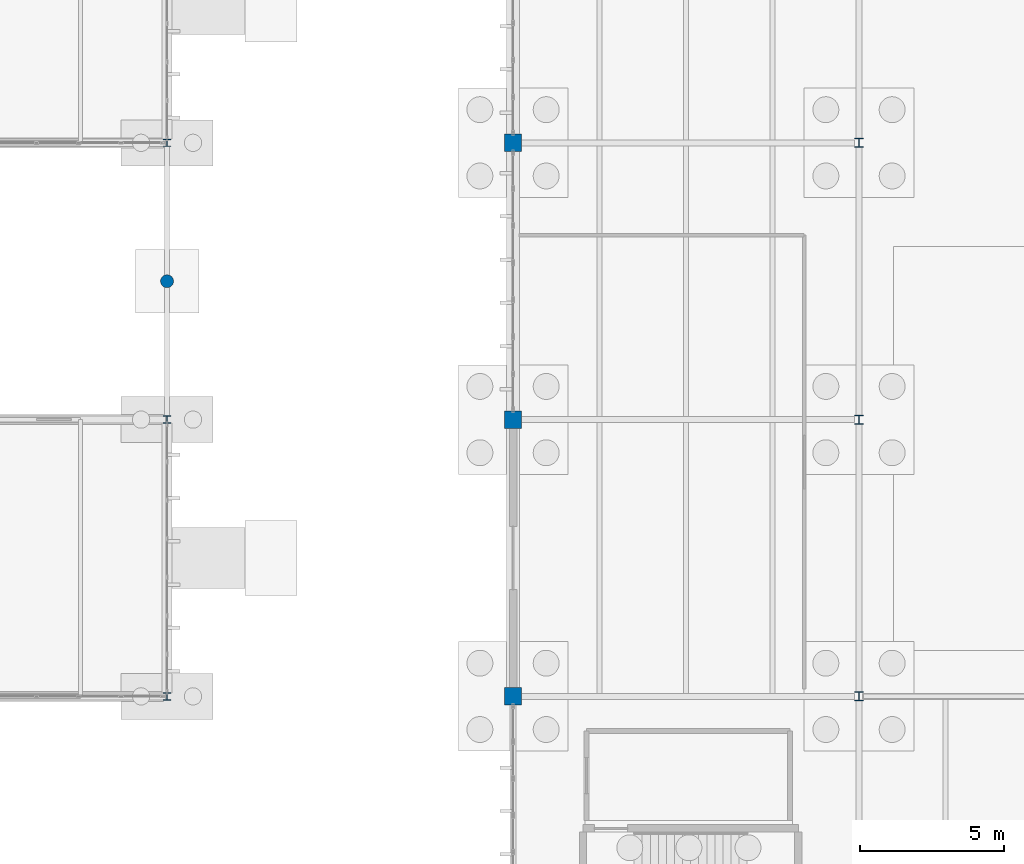
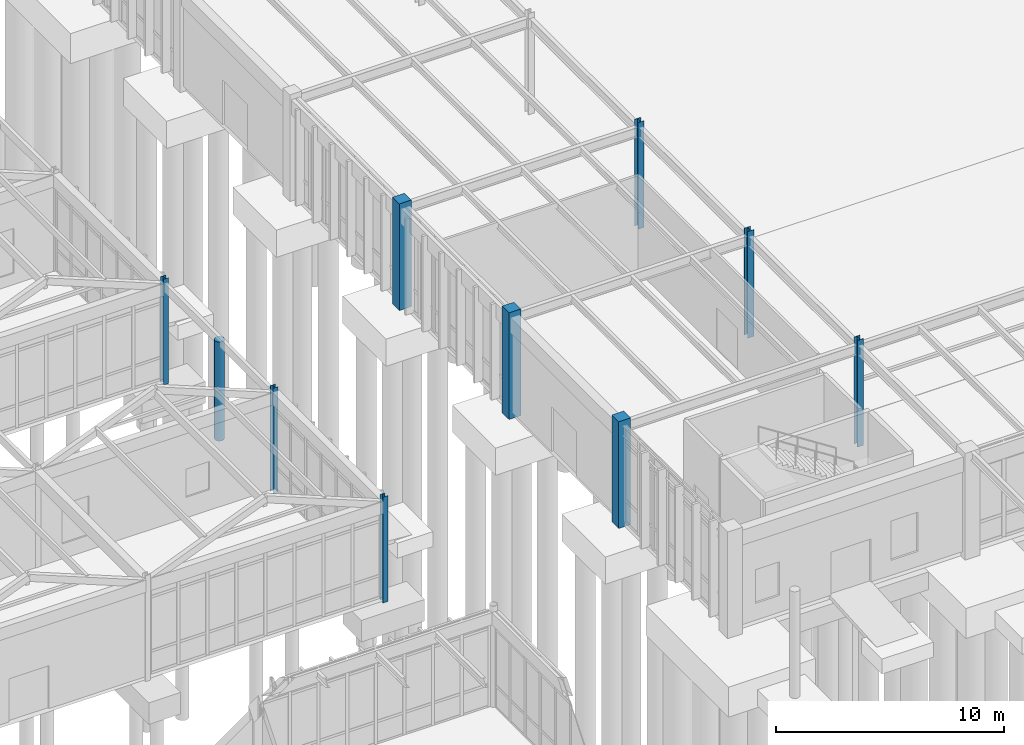
# One storey, part 7 of 188: 10 columns.
"""IFC4 building model written with IfcOpenShell, lengths in metres."""

import ifcopenshell
import ifcopenshell.guid

model = None  # the IFC model being written
_history = None  # IfcOwnerHistory: only IFC2X3 demands one
_inside = {}  # id of a spatial element -> (the spatial element, [elements in it])
_under = {}  # id of a project, library or spatial element -> (it, [spatial elements below it])
_declared = {}  # id of a project -> (the project, [libraries it declares])
_typed = {}  # id of a type object -> (the type object, [elements of that type])
_made_of = {}  # id of a material, layer set ... -> (it, [elements and type objects made of it])


def new_model(schema):
    """Start an empty IFC model of exactly this schema.

    Asked for "IFC4X3", IfcOpenShell would pick the latest addendum, in which some entities
    have other attributes; the version numbers below select the first issue.
    IFC2X3 requires an IfcOwnerHistory on every rooted entity: one is made here for all.
    """
    global model, _history
    if schema == "IFC4X3":
        model = ifcopenshell.file(schema_version=(4, 3, 0, 0))
    else:
        model = ifcopenshell.file(schema=schema)
    _inside.clear()
    _under.clear()
    _declared.clear()
    _typed.clear()
    _made_of.clear()
    _history = None
    if model.schema == "IFC2X3":
        org = make("IfcOrganization", Name="unknown")
        user = make(
            "IfcPersonAndOrganization",
            ThePerson=make("IfcPerson", FamilyName="unknown"),
            TheOrganization=org,
        )
        app = make(
            "IfcApplication",
            ApplicationDeveloper=org,
            Version="unknown",
            ApplicationFullName="unknown",
            ApplicationIdentifier="unknown",
        )
        _history = make(
            "IfcOwnerHistory",
            OwningUser=user,
            OwningApplication=app,
            ChangeAction="ADDED",
            CreationDate=0,
        )
    return model


def make(cls, **values):
    """One entity of the class cls with the attributes given. An attribute that is None is left unset."""
    return model.create_entity(
        cls, **{name: value for name, value in values.items() if value is not None}
    )


def rooted(cls, **values):
    """An entity with a GlobalId (a new one), such as an element, a storey or a relation."""
    return make(cls, GlobalId=ifcopenshell.guid.new(), OwnerHistory=_history, **values)


def si_unit(unit_type, name, prefix=None):
    """IfcSIUnit, for example si_unit("LENGTHUNIT", "METRE", prefix="MILLI")."""
    return make("IfcSIUnit", UnitType=unit_type, Prefix=prefix, Name=name)


def assignment(units):
    """IfcUnitAssignment: the units of a project."""
    return None if units is None else make("IfcUnitAssignment", Units=units)


def point(xyz):
    """IfcCartesianPoint."""
    return None if xyz is None else make("IfcCartesianPoint", Coordinates=xyz)


def direction(xyz):
    """IfcDirection."""
    return None if xyz is None else make("IfcDirection", DirectionRatios=xyz)


def frame(location, z_axis=None, x_axis=None):
    """IfcAxis2Placement3D, a coordinate frame: its origin and axes. An axis left out is left unset."""
    return make(
        "IfcAxis2Placement3D",
        Location=point(location),
        Axis=direction(z_axis),
        RefDirection=direction(x_axis),
    )


def frame_2d(location, x_axis=None):
    """IfcAxis2Placement2D, a coordinate frame in the plane: its origin and x axis."""
    return make(
        "IfcAxis2Placement2D", Location=point(location), RefDirection=direction(x_axis)
    )


def origin():
    """The frame at (0, 0, 0) with its axes left unset."""
    return frame((0.0, 0.0, 0.0))


def origin_2d():
    """The frame at (0, 0) in the plane with its x axis left unset."""
    return frame_2d((0.0, 0.0))


def place(relative_to, where):
    """IfcLocalPlacement: puts the frame where relative to a parent placement (None: the world)."""
    return make(
        "IfcLocalPlacement", PlacementRelTo=relative_to, RelativePlacement=where
    )


def context(
    kind, dimensions, precision=None, world=None, true_north=None, identifier=None
):
    """IfcGeometricRepresentationContext, for example the 3D "Model" context."""
    return make(
        "IfcGeometricRepresentationContext",
        ContextIdentifier=identifier,
        ContextType=kind,
        CoordinateSpaceDimension=dimensions,
        Precision=precision,
        WorldCoordinateSystem=world,
        TrueNorth=true_north,
    )


def subcontext(parent, identifier, kind, view, scale=None):
    """IfcGeometricRepresentationSubContext, for example "Body" below "Model"."""
    return make(
        "IfcGeometricRepresentationSubContext",
        ContextIdentifier=identifier,
        ContextType=kind,
        ParentContext=parent,
        TargetScale=scale,
        TargetView=view,
    )


def project(units=None, contexts=None):
    """IfcProject with its units and contexts."""
    return rooted(
        "IfcProject",
        Name="project",
        RepresentationContexts=contexts,
        UnitsInContext=assignment(units),
    )


def spatial(cls, under=None, at=None, **own):
    """A site, building, storey or space (cls), placed at a placement, below another one or the project."""
    s = rooted(cls, ObjectPlacement=at, **own)
    if under is not None:
        _under.setdefault(under.id(), (under, []))[1].append(s)
    return s


def profile(cls, at=None, kind="AREA", **sizes):
    """A parametric profile (cls). Its sizes go by their IFC names, for example OverallWidth=200.0."""
    return make(cls, ProfileType=kind, Position=at, **sizes)


def rectangle(**sizes):
    """IfcRectangleProfileDef."""
    return profile("IfcRectangleProfileDef", **sizes)


def circle(**sizes):
    """IfcCircleProfileDef."""
    return profile("IfcCircleProfileDef", **sizes)


def i_section(**sizes):
    """IfcIShapeProfileDef."""
    return profile("IfcIShapeProfileDef", **sizes)


def extrude(swept, where, along, depth):
    """IfcExtrudedAreaSolid: the profile swept, set in the frame where, extruded along a direction by depth."""
    return make(
        "IfcExtrudedAreaSolid",
        SweptArea=swept,
        Position=where,
        ExtrudedDirection=direction(along),
        Depth=depth,
    )


def shape(context_of_items, identifier, shape_type, items):
    """IfcShapeRepresentation: the items that make up one representation, for example the "Body"."""
    return make(
        "IfcShapeRepresentation",
        ContextOfItems=context_of_items,
        RepresentationIdentifier=identifier,
        RepresentationType=shape_type,
        Items=items,
    )


def material(Name=None, Category=None):
    """IfcMaterial."""
    return make("IfcMaterial", Name=Name, Category=Category)


def material_profile(
    of_material, cross_section, Name=None, Category=None, Priority=None
):
    """IfcMaterialProfile: a cross section and its material."""
    return make(
        "IfcMaterialProfile",
        Name=Name,
        Material=of_material,
        Profile=cross_section,
        Priority=Priority,
        Category=Category,
    )


def profile_set(profiles, Name=None, composite=None):
    """IfcMaterialProfileSet."""
    return make(
        "IfcMaterialProfileSet",
        Name=Name,
        MaterialProfiles=profiles,
        CompositeProfile=composite,
    )


def made_of(thing, what):
    """Note that an element or type object is made of a material, layer set ...; save() writes the relation."""
    if what is not None:
        _made_of.setdefault(what.id(), (what, []))[1].append(thing)
    return thing


def type_object(cls, material=None, **own):
    """A type object (cls), such as IfcWallType, which elements share."""
    return made_of(rooted(cls, **own), material)


def element(
    cls,
    number,
    at=None,
    inside=None,
    cuts=None,
    type_object=None,
    material=None,
    context=None,
    identifier="Body",
    shape_type=None,
    held_by="IfcProductDefinitionShape",
    body=None,
    shapes=None,
    **own,
):
    """One element of the class cls, such as IfcWall. Its Tag is "e" and its number.

    at: its placement. inside: the storey or other place that contains it. cuts: it is an
    opening in that element (IfcRelVoidsElement). A single representation is given by context,
    identifier, shape_type and body (its items); several are given by shapes. held_by: the class
    of the entity that holds the representations. save() writes the other relations.
    """
    e = rooted(cls, Tag="e%d" % number, ObjectPlacement=at, **own)
    if body is not None:
        shapes = [shape(context, identifier, shape_type, body)]
    if shapes is not None:
        e.Representation = make(held_by, Representations=shapes)
    if inside is not None:
        _inside.setdefault(inside.id(), (inside, []))[1].append(e)
    if cuts is not None:
        rooted(
            "IfcRelVoidsElement", RelatingBuildingElement=cuts, RelatedOpeningElement=e
        )
    if type_object is not None:
        _typed.setdefault(type_object.id(), (type_object, []))[1].append(e)
    return made_of(e, material)


def aggregate(whole, parts):
    """IfcRelAggregates: a whole, such as a stair, and the parts it consists of."""
    return rooted("IfcRelAggregates", RelatingObject=whole, RelatedObjects=parts)


def save(model, path):
    """Write the relations noted so far, then the file.

    IfcRelAggregates (storeys below a building ...), IfcRelContainedInSpatialStructure (elements
    in a storey), IfcRelDefinesByType, IfcRelAssociatesMaterial and IfcRelDeclares: one each for
    every whole, place, type object, material and project.
    """
    for whole, parts in _under.values():
        aggregate(whole, parts)
    for where, things in _inside.values():
        rooted(
            "IfcRelContainedInSpatialStructure",
            RelatedElements=things,
            RelatingStructure=where,
        )
    for kind, things in _typed.values():
        rooted("IfcRelDefinesByType", RelatedObjects=things, RelatingType=kind)
    for what, things in _made_of.values():
        rooted("IfcRelAssociatesMaterial", RelatedObjects=things, RelatingMaterial=what)
    for by, libraries in _declared.values():
        rooted("IfcRelDeclares", RelatingContext=by, RelatedDefinitions=libraries)
    model.write(path)


model = new_model("IFC4")

# Units and contexts
model_context = context("Model", 3, precision=1e-05, world=origin(), true_north=direction((0.0, 1.0)))
body_context = subcontext(model_context, "Body", "Model", "MODEL_VIEW")
ifc_project = project(units=[si_unit("LENGTHUNIT", "METRE"), si_unit("AREAUNIT", "SQUARE_METRE"), si_unit("VOLUMEUNIT", "CUBIC_METRE"), si_unit("PLANEANGLEUNIT", "RADIAN"), si_unit("MASSUNIT", "GRAM", prefix="KILO")], contexts=[model_context])

# Site, building, storey
site_placement = place(None, origin())
site = spatial("IfcSite", under=ifc_project, at=site_placement, CompositionType="ELEMENT")
building_placement = place(site_placement, origin())
building = spatial("IfcBuilding", under=site, at=building_placement, Name="Pandanus Reach Market Hall", CompositionType="ELEMENT")
storey_placement = place(building_placement, origin())
storey = spatial("IfcBuildingStorey", under=building, at=storey_placement, Name="L00", CompositionType="ELEMENT", Elevation=0.0)

# Columns
ifc_material_1 = material(Name="Concrete N40 (40 MPa)", Category="concrete")
ifc_material_profile_1 = material_profile(ifc_material_1, rectangle(XDim=0.60009765625, YDim=0.60009765625, at=origin_2d()), Name="RC600x600", Category="LoadBearing")
ifc_profile_set_1 = profile_set([ifc_material_profile_1], Name="Concrete N40 (40 MPa)")
column_type_1 = type_object("IfcColumnType", Name="CL-RC600-E", PredefinedType="COLUMN", material=ifc_profile_set_1)
for number, where, z_axis, x_axis, name in (
    (1, (48.0, 38.39990234375, -0.300048828125), (0.0, 0.0, 1.0), (1.0, 0.0, 0.0), "Column CL-RC600-E V1M-48-384 L00"),
    (2, (48.0, 48.0, -0.300048828125), (0.0, 0.0, 1.0), (1.0, 0.0, 0.0), "Column CL-RC600-E V1G-48-480 L00"),
    (3, (48.0, 57.60009765625, -0.300048828125), (0.0, 0.0, 1.0), (1.0, 0.0, 0.0), "Column CL-RC600-E V1G-48-576 L00"),
):
    element("IfcColumn", number, at=place(storey_placement, frame(where, z_axis=z_axis, x_axis=x_axis)), inside=storey, type_object=column_type_1, Name=name, PredefinedType="COLUMN", context=body_context, shape_type="SweptSolid", body=[
        extrude(rectangle(XDim=0.60009765625, YDim=0.60009765625, at=origin_2d()), origin(), (0.0, 0.0, 1.0), 5.699951171875),
    ])
ifc_material_2 = material(Name="Steel Grade 350 (350 MPa)", Category="steel")
ifc_material_profile_2 = material_profile(ifc_material_2, i_section(OverallWidth=0.25390625, OverallDepth=0.25390625, WebThickness=0.008544921875, FlangeThickness=0.01416015625, at=origin_2d()), Name="250UC72.9", Category="LoadBearing")
ifc_profile_set_2 = profile_set([ifc_material_profile_2], Name="Steel Grade 350 (350 MPa)")
column_type_2 = type_object("IfcColumnType", Name="CL-UC250-E", PredefinedType="COLUMN", material=ifc_profile_set_2)
for number, where, z_axis, x_axis, name in (
    (4, (36.0, 38.39990234375, -0.2548828125), (0.0, 0.0, 1.0), (1.0, 0.0, 0.0), "Column CL-UC250-E V2-36-384 L00"),
    (5, (36.0, 48.0, -0.2548828125), (0.0, 0.0, 1.0), (1.0, 0.0, 0.0), "Column CL-UC250-E V2-36-480 L00"),
    (6, (36.0, 57.60009765625, -0.2548828125), (0.0, 0.0, 1.0), (1.0, 0.0, 0.0), "Column CL-UC250-E V2-36-576 L00"),
):
    element("IfcColumn", number, at=place(storey_placement, frame(where, z_axis=z_axis, x_axis=x_axis)), inside=storey, type_object=column_type_2, Name=name, PredefinedType="COLUMN", context=body_context, shape_type="SweptSolid", body=[
        extrude(i_section(OverallWidth=0.25390625, OverallDepth=0.25390625, WebThickness=0.008544921875, FlangeThickness=0.01416015625, at=origin_2d()), origin(), (0.0, 0.0, 1.0), 5.65478515625),
    ])
ifc_material_profile_3 = material_profile(ifc_material_2, i_section(OverallWidth=0.306884765625, OverallDepth=0.31494140625, WebThickness=0.011962890625, FlangeThickness=0.018798828125, at=origin_2d()), Name="310UC118", Category="LoadBearing")
ifc_profile_set_3 = profile_set([ifc_material_profile_3], Name="Steel Grade 350 (350 MPa)")
column_type_3 = type_object("IfcColumnType", Name="CL-UC310-I", PredefinedType="COLUMN", material=ifc_profile_set_3)
for number, where, z_axis, x_axis, name in (
    (7, (60.0, 38.39990234375, -0.300048828125), (0.0, 0.0, 1.0), (1.0, 0.0, 0.0), "Column CL-UC310-I V1M-60-384 L00"),
    (8, (60.0, 48.0, -0.300048828125), (0.0, 0.0, 1.0), (1.0, 0.0, 0.0), "Column CL-UC310-I V1G-60-480 L00"),
    (9, (60.0, 57.60009765625, -0.300048828125), (0.0, 0.0, 1.0), (1.0, 0.0, 0.0), "Column CL-UC310-I V1G-60-576 L00"),
):
    element("IfcColumn", number, at=place(storey_placement, frame(where, z_axis=z_axis, x_axis=x_axis)), inside=storey, type_object=column_type_3, Name=name, PredefinedType="COLUMN", context=body_context, shape_type="SweptSolid", body=[
        extrude(i_section(OverallWidth=0.306884765625, OverallDepth=0.31494140625, WebThickness=0.011962890625, FlangeThickness=0.018798828125, at=origin_2d()), origin(), (0.0, 0.0, 1.0), 5.699951171875),
    ])
ifc_material_3 = material(Name="Precast concrete S50 (50 MPa)", Category="concrete")
ifc_material_profile_4 = material_profile(ifc_material_3, circle(Radius=0.22509765625, at=origin_2d()), Name="RC450D", Category="LoadBearing")
ifc_profile_set_4 = profile_set([ifc_material_profile_4], Name="Precast concrete S50 (50 MPa)")
column_type_4 = type_object("IfcColumnType", Name="PL-RC450-E", PredefinedType="PILASTER", material=ifc_profile_set_4)
column_placement = place(storey_placement, frame((36.0, 52.800048828125, -0.300048828125), z_axis=(0.0, 0.0, 1.0), x_axis=(1.0, 0.0, 0.0)))
element("IfcColumn", 10, at=column_placement, inside=storey, type_object=column_type_4, Name="Arcade pilaster P24", PredefinedType="PILASTER", context=body_context, shape_type="SweptSolid", body=[
    extrude(circle(Radius=0.22509765625, at=origin_2d()), origin(), (0.0, 0.0, 1.0), 5.300048828125),
])

save(model, "model.ifc")
